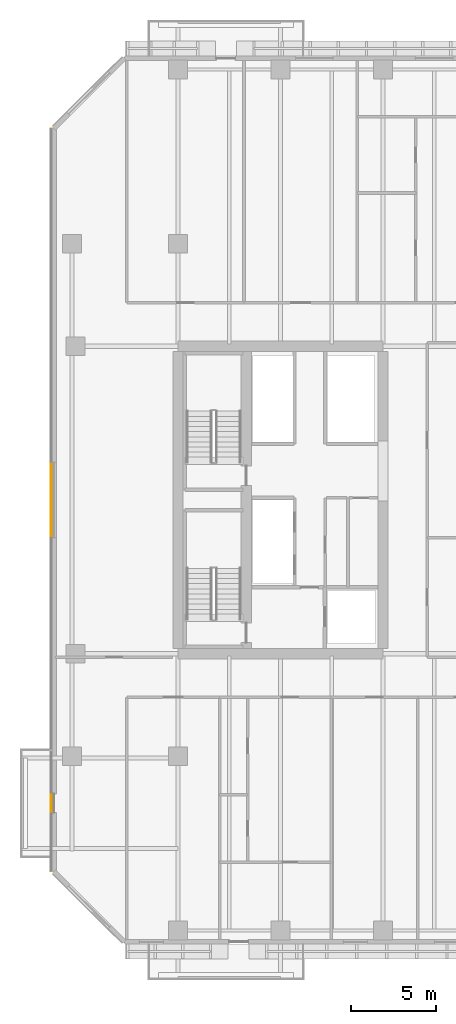
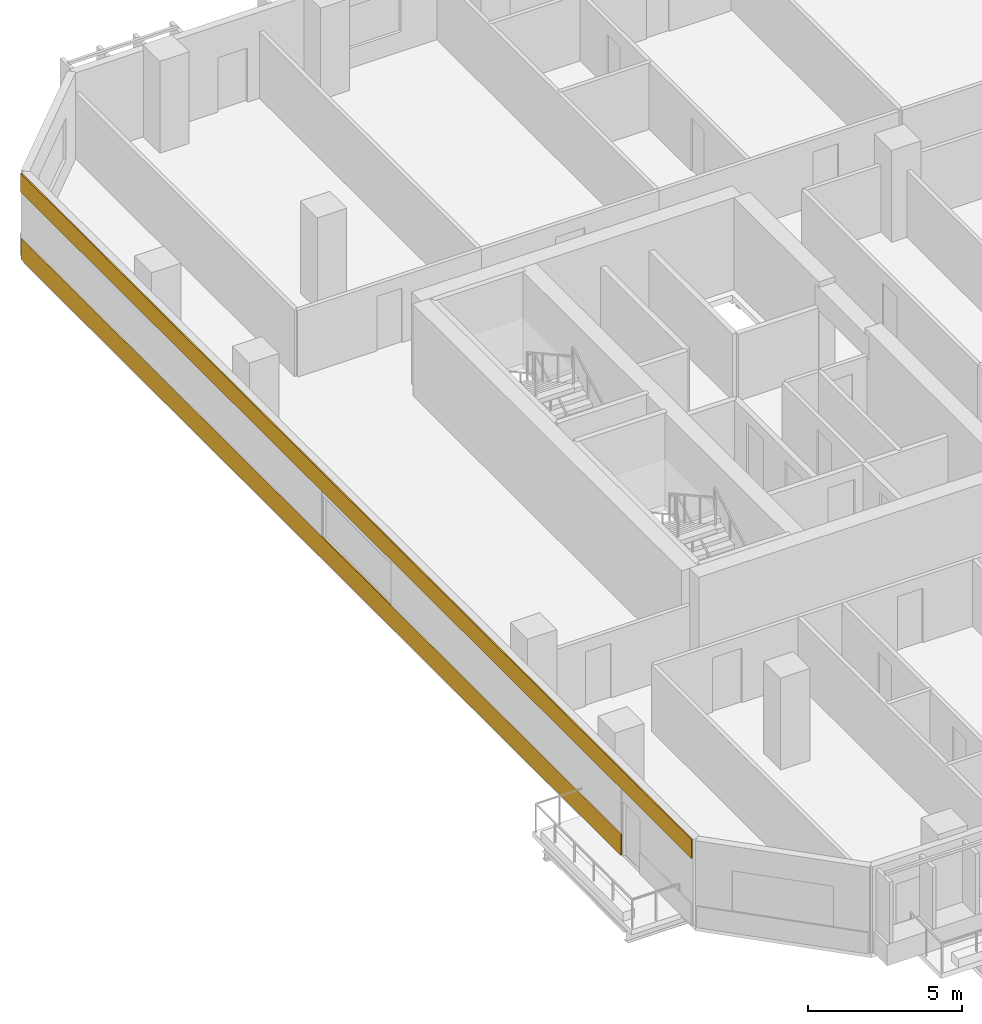
# One storey, part 19 of 26: 2 coverings.
"""IFC4 building model written with IfcOpenShell, lengths in metres."""

import ifcopenshell
import ifcopenshell.guid

model = None  # the IFC model being written
_history = None  # IfcOwnerHistory: only IFC2X3 demands one
_inside = {}  # id of a spatial element -> (the spatial element, [elements in it])
_under = {}  # id of a project, library or spatial element -> (it, [spatial elements below it])
_declared = {}  # id of a project -> (the project, [libraries it declares])
_typed = {}  # id of a type object -> (the type object, [elements of that type])
_made_of = {}  # id of a material, layer set ... -> (it, [elements and type objects made of it])


def new_model(schema):
    """Start an empty IFC model of exactly this schema.

    Asked for "IFC4X3", IfcOpenShell would pick the latest addendum, in which some entities
    have other attributes; the version numbers below select the first issue.
    IFC2X3 requires an IfcOwnerHistory on every rooted entity: one is made here for all.
    """
    global model, _history
    if schema == "IFC4X3":
        model = ifcopenshell.file(schema_version=(4, 3, 0, 0))
    else:
        model = ifcopenshell.file(schema=schema)
    _inside.clear()
    _under.clear()
    _declared.clear()
    _typed.clear()
    _made_of.clear()
    _history = None
    if model.schema == "IFC2X3":
        org = make("IfcOrganization", Name="unknown")
        user = make(
            "IfcPersonAndOrganization",
            ThePerson=make("IfcPerson", FamilyName="unknown"),
            TheOrganization=org,
        )
        app = make(
            "IfcApplication",
            ApplicationDeveloper=org,
            Version="unknown",
            ApplicationFullName="unknown",
            ApplicationIdentifier="unknown",
        )
        _history = make(
            "IfcOwnerHistory",
            OwningUser=user,
            OwningApplication=app,
            ChangeAction="ADDED",
            CreationDate=0,
        )
    return model


def make(cls, **values):
    """One entity of the class cls with the attributes given. An attribute that is None is left unset."""
    return model.create_entity(
        cls, **{name: value for name, value in values.items() if value is not None}
    )


def rooted(cls, **values):
    """An entity with a GlobalId (a new one), such as an element, a storey or a relation."""
    return make(cls, GlobalId=ifcopenshell.guid.new(), OwnerHistory=_history, **values)


def si_unit(unit_type, name, prefix=None):
    """IfcSIUnit, for example si_unit("LENGTHUNIT", "METRE", prefix="MILLI")."""
    return make("IfcSIUnit", UnitType=unit_type, Prefix=prefix, Name=name)


def assignment(units):
    """IfcUnitAssignment: the units of a project."""
    return None if units is None else make("IfcUnitAssignment", Units=units)


def point(xyz):
    """IfcCartesianPoint."""
    return None if xyz is None else make("IfcCartesianPoint", Coordinates=xyz)


def direction(xyz):
    """IfcDirection."""
    return None if xyz is None else make("IfcDirection", DirectionRatios=xyz)


def frame(location, z_axis=None, x_axis=None):
    """IfcAxis2Placement3D, a coordinate frame: its origin and axes. An axis left out is left unset."""
    return make(
        "IfcAxis2Placement3D",
        Location=point(location),
        Axis=direction(z_axis),
        RefDirection=direction(x_axis),
    )


def frame_2d(location, x_axis=None):
    """IfcAxis2Placement2D, a coordinate frame in the plane: its origin and x axis."""
    return make(
        "IfcAxis2Placement2D", Location=point(location), RefDirection=direction(x_axis)
    )


def origin():
    """The frame at (0, 0, 0) with its axes left unset."""
    return frame((0.0, 0.0, 0.0))


def origin_2d():
    """The frame at (0, 0) in the plane with its x axis left unset."""
    return frame_2d((0.0, 0.0))


def place(relative_to, where):
    """IfcLocalPlacement: puts the frame where relative to a parent placement (None: the world)."""
    return make(
        "IfcLocalPlacement", PlacementRelTo=relative_to, RelativePlacement=where
    )


def context(
    kind, dimensions, precision=None, world=None, true_north=None, identifier=None
):
    """IfcGeometricRepresentationContext, for example the 3D "Model" context."""
    return make(
        "IfcGeometricRepresentationContext",
        ContextIdentifier=identifier,
        ContextType=kind,
        CoordinateSpaceDimension=dimensions,
        Precision=precision,
        WorldCoordinateSystem=world,
        TrueNorth=true_north,
    )


def subcontext(parent, identifier, kind, view, scale=None):
    """IfcGeometricRepresentationSubContext, for example "Body" below "Model"."""
    return make(
        "IfcGeometricRepresentationSubContext",
        ContextIdentifier=identifier,
        ContextType=kind,
        ParentContext=parent,
        TargetScale=scale,
        TargetView=view,
    )


def project(units=None, contexts=None):
    """IfcProject with its units and contexts."""
    return rooted(
        "IfcProject",
        Name="project",
        RepresentationContexts=contexts,
        UnitsInContext=assignment(units),
    )


def spatial(cls, under=None, at=None, **own):
    """A site, building, storey or space (cls), placed at a placement, below another one or the project."""
    s = rooted(cls, ObjectPlacement=at, **own)
    if under is not None:
        _under.setdefault(under.id(), (under, []))[1].append(s)
    return s


def profile(cls, at=None, kind="AREA", **sizes):
    """A parametric profile (cls). Its sizes go by their IFC names, for example OverallWidth=200.0."""
    return make(cls, ProfileType=kind, Position=at, **sizes)


def rectangle(**sizes):
    """IfcRectangleProfileDef."""
    return profile("IfcRectangleProfileDef", **sizes)


def extrude(swept, where, along, depth):
    """IfcExtrudedAreaSolid: the profile swept, set in the frame where, extruded along a direction by depth."""
    return make(
        "IfcExtrudedAreaSolid",
        SweptArea=swept,
        Position=where,
        ExtrudedDirection=direction(along),
        Depth=depth,
    )


def shape(context_of_items, identifier, shape_type, items):
    """IfcShapeRepresentation: the items that make up one representation, for example the "Body"."""
    return make(
        "IfcShapeRepresentation",
        ContextOfItems=context_of_items,
        RepresentationIdentifier=identifier,
        RepresentationType=shape_type,
        Items=items,
    )


def material(Name=None, Category=None):
    """IfcMaterial."""
    return make("IfcMaterial", Name=Name, Category=Category)


def layer(
    of_material, thickness, ventilated=None, Name=None, Category=None, Priority=None
):
    """IfcMaterialLayer: one layer of a wall or slab, of a material (None: an air gap)."""
    return make(
        "IfcMaterialLayer",
        Material=of_material,
        LayerThickness=thickness,
        IsVentilated=ventilated,
        Name=Name,
        Category=Category,
        Priority=Priority,
    )


def layer_set(layers, Name=None):
    """IfcMaterialLayerSet."""
    return make("IfcMaterialLayerSet", MaterialLayers=layers, LayerSetName=Name)


def made_of(thing, what):
    """Note that an element or type object is made of a material, layer set ...; save() writes the relation."""
    if what is not None:
        _made_of.setdefault(what.id(), (what, []))[1].append(thing)
    return thing


def type_object(cls, material=None, **own):
    """A type object (cls), such as IfcWallType, which elements share."""
    return made_of(rooted(cls, **own), material)


def element(
    cls,
    number,
    at=None,
    inside=None,
    cuts=None,
    type_object=None,
    material=None,
    context=None,
    identifier="Body",
    shape_type=None,
    held_by="IfcProductDefinitionShape",
    body=None,
    shapes=None,
    **own,
):
    """One element of the class cls, such as IfcWall. Its Tag is "e" and its number.

    at: its placement. inside: the storey or other place that contains it. cuts: it is an
    opening in that element (IfcRelVoidsElement). A single representation is given by context,
    identifier, shape_type and body (its items); several are given by shapes. held_by: the class
    of the entity that holds the representations. save() writes the other relations.
    """
    e = rooted(cls, Tag="e%d" % number, ObjectPlacement=at, **own)
    if body is not None:
        shapes = [shape(context, identifier, shape_type, body)]
    if shapes is not None:
        e.Representation = make(held_by, Representations=shapes)
    if inside is not None:
        _inside.setdefault(inside.id(), (inside, []))[1].append(e)
    if cuts is not None:
        rooted(
            "IfcRelVoidsElement", RelatingBuildingElement=cuts, RelatedOpeningElement=e
        )
    if type_object is not None:
        _typed.setdefault(type_object.id(), (type_object, []))[1].append(e)
    return made_of(e, material)


def aggregate(whole, parts):
    """IfcRelAggregates: a whole, such as a stair, and the parts it consists of."""
    return rooted("IfcRelAggregates", RelatingObject=whole, RelatedObjects=parts)


def save(model, path):
    """Write the relations noted so far, then the file.

    IfcRelAggregates (storeys below a building ...), IfcRelContainedInSpatialStructure (elements
    in a storey), IfcRelDefinesByType, IfcRelAssociatesMaterial and IfcRelDeclares: one each for
    every whole, place, type object, material and project.
    """
    for whole, parts in _under.values():
        aggregate(whole, parts)
    for where, things in _inside.values():
        rooted(
            "IfcRelContainedInSpatialStructure",
            RelatedElements=things,
            RelatingStructure=where,
        )
    for kind, things in _typed.values():
        rooted("IfcRelDefinesByType", RelatedObjects=things, RelatingType=kind)
    for what, things in _made_of.values():
        rooted("IfcRelAssociatesMaterial", RelatedObjects=things, RelatingMaterial=what)
    for by, libraries in _declared.values():
        rooted("IfcRelDeclares", RelatingContext=by, RelatedDefinitions=libraries)
    model.write(path)


model = new_model("IFC4")

# Units and contexts
model_context = context("Model", 3, precision=1e-05, world=origin(), true_north=direction((0.0, 1.0)))
body_context = subcontext(model_context, "Body", "Model", "MODEL_VIEW")
ifc_project = project(units=[si_unit("LENGTHUNIT", "METRE"), si_unit("AREAUNIT", "SQUARE_METRE"), si_unit("VOLUMEUNIT", "CUBIC_METRE"), si_unit("PLANEANGLEUNIT", "RADIAN"), si_unit("MASSUNIT", "GRAM", prefix="KILO")], contexts=[model_context])

# Site, building, storey
site_placement = place(None, origin())
site = spatial("IfcSite", under=ifc_project, at=site_placement, CompositionType="ELEMENT")
building_placement = place(site_placement, origin())
building = spatial("IfcBuilding", under=site, at=building_placement, Name="Tanjung Sevakor Pilgrim Tower", CompositionType="ELEMENT")
storey_placement = place(building_placement, frame((0.0, 0.0, 66.0)))
storey = spatial("IfcBuildingStorey", under=building, at=storey_placement, Name="L18", CompositionType="ELEMENT", Elevation=66.0)

# Coverings
ifc_material = material(Name="Reconstructed Limestone Cladding", Category="masonry")
ifc_layer = layer(ifc_material, 0.044921875)
ifc_layer_set = layer_set([ifc_layer], Name="COV-CLAD-LIMESTONE")
covering_type = type_object("IfcCoveringType", Name="COV-CLAD-LIMESTONE", PredefinedType="CLADDING", material=ifc_layer_set)
covering_1_placement = place(storey_placement, frame((16.577392578125, 35.881103515625, 0.009765625), z_axis=(0.0, 0.0, 1.0), x_axis=(0.0, -1.0, 0.0)))
element("IfcCovering", 1, at=covering_1_placement, inside=storey, type_object=covering_type, Name="L18 Warm Limestone Sill Spandrel EW-L18-MAIN-15-1", PredefinedType="CLADDING", context=body_context, shape_type="SweptSolid", body=[
    extrude(rectangle(XDim=38.842041015625, YDim=0.044921875, at=origin_2d()), origin(), (0.0, 0.0, 1.0), 0.840087890625),
])
covering_2_placement = place(storey_placement, frame((16.577392578125, 33.60009765625, 2.66015625), z_axis=(0.0, 0.0, 1.0), x_axis=(0.0, -1.0, 0.0)))
element("IfcCovering", 2, at=covering_2_placement, inside=storey, type_object=covering_type, Name="L18 Warm Limestone Cornice Spandrel EW-L18-MAIN-15", PredefinedType="CLADDING", context=body_context, shape_type="SweptSolid", body=[
    extrude(rectangle(XDim=43.444091796875, YDim=0.044921875, at=origin_2d()), origin(), (0.0, 0.0, 1.0), 0.739990234375),
])

save(model, "model.ifc")
